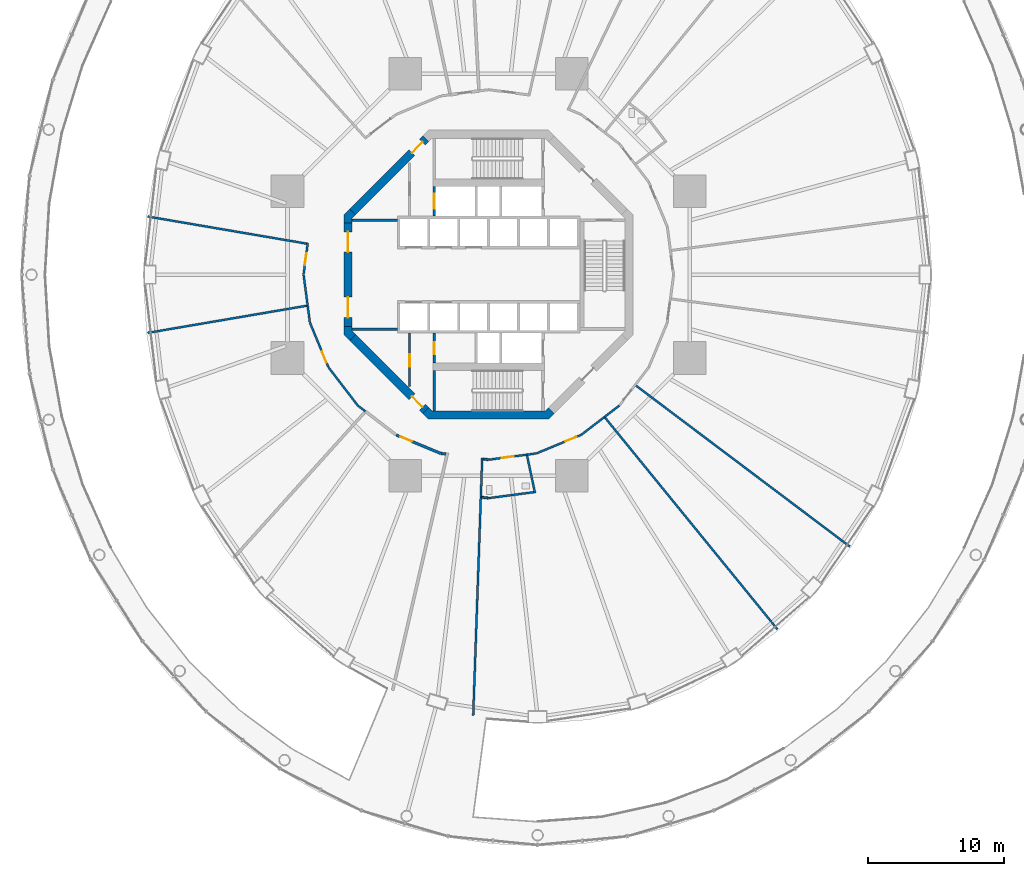
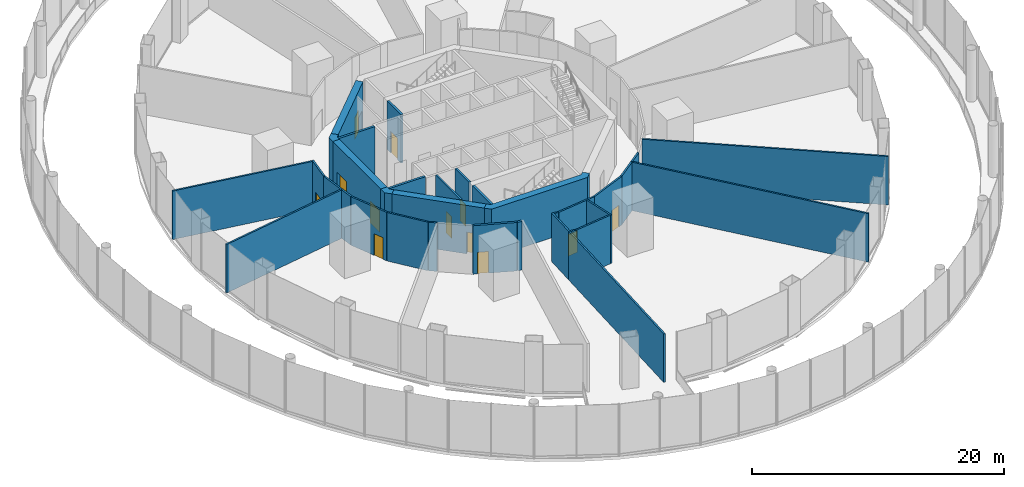
# One storey, part 42 of 47: 35 walls, 12 doors, 12 openings.
"""IFC4 building model written with IfcOpenShell, lengths in metres."""

from ifc_helpers import new_model, si_unit, direction, frame, frame_2d, origin, place, context, subcontext, project, spatial, polyline, rectangle, outline, extrude, material, layer, layer_set, type_object, element, fill, save


model = new_model("IFC4")

# Units and contexts
model_context = context("Model", 3, precision=1e-05, world=origin(), true_north=direction((0.0, 1.0)))
body_context = subcontext(model_context, "Body", "Model", "MODEL_VIEW")
ifc_project = project(units=[si_unit("LENGTHUNIT", "METRE"), si_unit("AREAUNIT", "SQUARE_METRE"), si_unit("VOLUMEUNIT", "CUBIC_METRE"), si_unit("PLANEANGLEUNIT", "RADIAN"), si_unit("MASSUNIT", "GRAM", prefix="KILO")], contexts=[model_context])

# Site, building, storey
site_placement = place(None, origin())
site = spatial("IfcSite", under=ifc_project, at=site_placement, CompositionType="ELEMENT")
building_placement = place(site_placement, origin())
building = spatial("IfcBuilding", under=site, at=building_placement, Name="Nagisa Residences", CompositionType="ELEMENT")
storey_placement = place(building_placement, frame((0.0, 0.0, 17.0)))
storey = spatial("IfcBuildingStorey", under=building, at=storey_placement, Name="L03", CompositionType="ELEMENT", Elevation=17.0)

# Wall, opening, door
ifc_material_1 = material(Name="Gypsum board on steel studs", Category="steel")
ifc_layer_1 = layer(ifc_material_1, 0.14990234375)
ifc_layer_set_1 = layer_set([ifc_layer_1], Name="Core partition 150")
wall_type_1 = type_object("IfcWallType", Name="Core partition 150", PredefinedType="PARTITIONING", material=ifc_layer_set_1)
wall_1_placement = place(storey_placement, frame((-5.800048828125, -8.22705078125, 0.0), z_axis=(0.0, 0.0, 1.0), x_axis=(0.0, 1.0, 0.0)))
wall_1 = element("IfcWall", 1, at=wall_1_placement, inside=storey, type_object=wall_type_1, Name="wall:L03:SWp", PredefinedType="PARTITIONING", context=body_context, shape_type="SweptSolid", body=[
    extrude(rectangle(XDim=3.927001953125, YDim=0.14990234375, at=frame_2d((1.96337890625, 0.0))), origin(), (0.0, 0.0, 1.0), 4.699951171875),
])
opening_1_placement = place(wall_1_placement, frame((1.47607421875, 0.0, 0.0)))
opening_1 = element("IfcOpeningElement", 2, at=opening_1_placement, cuts=wall_1, Name="Opening L03-C13", PredefinedType="OPENING", context=body_context, shape_type="SweptSolid", body=[
    extrude(rectangle(XDim=0.89990234375, YDim=2.10009765625, at=frame_2d((0.449951171875, 1.050048828125))), frame((0.0, 0.0849609375, 0.0), z_axis=(0.0, -1.0, 0.0), x_axis=(1.0, 0.0, 0.0)), (0.0, 0.0, 1.0), 0.169921875),
])
ifc_material_2 = material(Name="Steel fire door", Category="steel")
door_type_1 = type_object("IfcDoorType", Name="Fire door EI30 900x2100 single swing", OperationType="NOTDEFINED", PredefinedType="DOOR", material=ifc_material_2)
door_1_placement = place(opening_1_placement, origin())
door_1 = element("IfcDoor", 3, at=door_1_placement, inside=storey, type_object=door_type_1, Name="Refuse room door L03", OperationType="SINGLE_SWING_RIGHT", OverallHeight=2.10009765625, OverallWidth=0.89990234375, PredefinedType="DOOR", context=body_context, shape_type="SweptSolid", body=[
    extrude(rectangle(XDim=0.89990234375, YDim=2.10009765625, at=frame_2d((0.449951171875, 1.050048828125))), frame((0.0, 0.02490234375, 0.0), z_axis=(0.0, -1.0, 0.0), x_axis=(1.0, 0.0, 0.0)), (0.0, 0.0, 1.0), 0.050048828125),
])
fill(opening_1, door_1)

# Walls
ifc_material_3 = material(Name="Gypsum board on steel studs", Category="steel")
ifc_layer_2 = layer(ifc_material_3, 0.199951171875)
ifc_layer_set_2 = layer_set([ifc_layer_2], Name="Core partition 200")
wall_type_2 = type_object("IfcWallType", Name="Core partition 200", PredefinedType="PARTITIONING", material=ifc_layer_set_2)
for number, where, z_axis, x_axis, name in (
    (4, (-10.024658203125, -4.0, 0.0), (0.0, 0.0, 1.0), (1.0, 0.0, 0.0), "wall:L03:PSW"),
    (5, (-10.024658203125, 4.0, 0.0), (0.0, 0.0, 1.0), (1.0, 0.0, 0.0), "wall:L03:PNW"),
):
    element("IfcWall", number, at=place(storey_placement, frame(where, z_axis=z_axis, x_axis=x_axis)), inside=storey, type_object=wall_type_2, Name=name, PredefinedType="PARTITIONING", context=body_context, shape_type="SweptSolid", body=[
        extrude(rectangle(XDim=3.32470703125, YDim=0.199951171875, at=frame_2d((1.662353515625, 0.0))), origin(), (0.0, 0.0, 1.0), 4.699951171875),
    ])

# Wall, opening, door
ifc_material_4 = material(Name="Concrete C60", Category="concrete")
ifc_layer_3 = layer(ifc_material_4, 0.60009765625)
ifc_layer_set_3 = layer_set([ifc_layer_3], Name="Core shear wall 600")
wall_type_3 = type_object("IfcWallType", Name="Core shear wall 600", PredefinedType="SHEAR", material=ifc_layer_set_3)
wall_2_placement = place(storey_placement, frame((-4.613037109375, 9.98828125, 0.0), z_axis=(0.0, 0.0, 1.0), x_axis=(-0.707106781187, -0.707106781187, 0.0)))
wall_2 = element("IfcWall", 6, at=wall_2_placement, inside=storey, type_object=wall_type_3, Name="wall:L03:core:flat3", PredefinedType="SHEAR", context=body_context, shape_type="SweptSolid", body=[
    extrude(rectangle(XDim=7.601806640625, YDim=0.60009765625, at=frame_2d((3.80078125, 0.0))), origin(), (0.0, 0.0, 1.0), 4.699951171875),
])
opening_2_placement = place(wall_2_placement, frame((0.350830078125, 0.0, 0.0)))
opening_2 = element("IfcOpeningElement", 7, at=opening_2_placement, cuts=wall_2, Name="Opening L03-C19", PredefinedType="OPENING", context=body_context, shape_type="SweptSolid", body=[
    extrude(rectangle(XDim=1.10009765625, YDim=2.10009765625, at=frame_2d((0.550048828125, 1.050048828125))), frame((0.0, 0.31005859375, 0.0), z_axis=(0.0, -1.0, 0.0), x_axis=(1.0, 0.0, 0.0)), (0.0, 0.0, 1.0), 0.6201171875),
])
ifc_material_5 = material(Name="Steel fire door", Category="steel")
door_type_2 = type_object("IfcDoorType", Name="Fire door EI60 1100x2100 single swing", OperationType="NOTDEFINED", PredefinedType="DOOR", material=ifc_material_5)
door_2_placement = place(opening_2_placement, origin())
door_2 = element("IfcDoor", 8, at=door_2_placement, inside=storey, type_object=door_type_2, Name="Service lobby door L03", OperationType="SINGLE_SWING_RIGHT", OverallHeight=2.10009765625, OverallWidth=1.10009765625, PredefinedType="DOOR", context=body_context, shape_type="SweptSolid", body=[
    extrude(rectangle(XDim=1.10009765625, YDim=2.10009765625, at=frame_2d((0.550048828125, 1.050048828125))), frame((0.0, 0.02490234375, 0.0), z_axis=(0.0, -1.0, 0.0), x_axis=(1.0, 0.0, 0.0)), (0.0, 0.0, 1.0), 0.050048828125),
])
fill(opening_2, door_2)

# Wall, openings, doors
wall_3_placement = place(storey_placement, frame((-10.32470703125, 3.80078125, 0.0), z_axis=(0.0, 0.0, 1.0), x_axis=(0.0, -1.0, 0.0)))
wall_3 = element("IfcWall", 9, at=wall_3_placement, inside=storey, type_object=wall_type_3, Name="wall:L03:core:flat4", PredefinedType="SHEAR", context=body_context, shape_type="SweptSolid", body=[
    extrude(rectangle(XDim=7.6015625, YDim=0.60009765625, at=frame_2d((3.80078125, 0.0))), origin(), (0.0, 0.0, 1.0), 4.699951171875),
])
opening_3_placement = place(wall_3_placement, frame((0.65087890625, 0.0, 0.0)))
opening_3 = element("IfcOpeningElement", 10, at=opening_3_placement, cuts=wall_3, Name="Opening L03-C17", PredefinedType="OPENING", context=body_context, shape_type="SweptSolid", body=[
    extrude(rectangle(XDim=1.5, YDim=2.10009765625, at=frame_2d((0.75, 1.050048828125))), frame((0.0, 0.31005859375, 0.0), z_axis=(0.0, -1.0, 0.0), x_axis=(1.0, 0.0, 0.0)), (0.0, 0.0, 1.0), 0.6201171875),
])
opening_4_placement = place(wall_3_placement, frame((5.450927734375, 0.0, 0.0)))
opening_4 = element("IfcOpeningElement", 11, at=opening_4_placement, cuts=wall_3, Name="Opening L03-C18", PredefinedType="OPENING", context=body_context, shape_type="SweptSolid", body=[
    extrude(rectangle(XDim=1.5, YDim=2.10009765625, at=frame_2d((0.75, 1.050048828125))), frame((0.0, 0.31005859375, 0.0), z_axis=(0.0, -1.0, 0.0), x_axis=(1.0, 0.0, 0.0)), (0.0, 0.0, 1.0), 0.6201171875),
])
ifc_material_6 = material(Name="Steel fire door", Category="steel")
door_type_3 = type_object("IfcDoorType", Name="Fire door EI60 1500x2100 double door single swing", OperationType="DOUBLE_DOOR_SINGLE_SWING", PredefinedType="DOOR", material=ifc_material_6)
door_3_placement = place(opening_3_placement, origin())
door_3 = element("IfcDoor", 12, at=door_3_placement, inside=storey, type_object=door_type_3, Name="Lift lobby door L03 1", OperationType="DOUBLE_DOOR_SINGLE_SWING", OverallHeight=2.10009765625, OverallWidth=1.5, PredefinedType="DOOR", context=body_context, shape_type="SweptSolid", body=[
    extrude(rectangle(XDim=1.5, YDim=2.10009765625, at=frame_2d((0.75, 1.050048828125))), frame((0.0, 0.02490234375, 0.0), z_axis=(0.0, -1.0, 0.0), x_axis=(1.0, 0.0, 0.0)), (0.0, 0.0, 1.0), 0.050048828125),
])
fill(opening_3, door_3)
door_4_placement = place(opening_4_placement, origin())
door_4 = element("IfcDoor", 13, at=door_4_placement, inside=storey, type_object=door_type_3, Name="Lift lobby door L03 2", OperationType="DOUBLE_DOOR_SINGLE_SWING", OverallHeight=2.10009765625, OverallWidth=1.5, PredefinedType="DOOR", context=body_context, shape_type="SweptSolid", body=[
    extrude(rectangle(XDim=1.5, YDim=2.10009765625, at=frame_2d((0.75, 1.050048828125))), frame((0.0, 0.02490234375, 0.0), z_axis=(0.0, -1.0, 0.0), x_axis=(1.0, 0.0, 0.0)), (0.0, 0.0, 1.0), 0.050048828125),
])
fill(opening_4, door_4)

# Wall, opening, door
wall_4_placement = place(storey_placement, frame((-9.98828125, -4.613037109375, 0.0), z_axis=(0.0, 0.0, 1.0), x_axis=(0.707106781187, -0.707106781187, 0.0)))
wall_4 = element("IfcWall", 14, at=wall_4_placement, inside=storey, type_object=wall_type_3, Name="wall:L03:core:flat5", PredefinedType="SHEAR", context=body_context, shape_type="SweptSolid", body=[
    extrude(rectangle(XDim=7.601806640625, YDim=0.60009765625, at=frame_2d((3.80078125, 0.0))), origin(), (0.0, 0.0, 1.0), 4.699951171875),
])
opening_5_placement = place(wall_4_placement, frame((6.15087890625, 0.0, 0.0)))
opening_5 = element("IfcOpeningElement", 15, at=opening_5_placement, cuts=wall_4, Name="Opening L03-C20", PredefinedType="OPENING", context=body_context, shape_type="SweptSolid", body=[
    extrude(rectangle(XDim=1.10009765625, YDim=2.10009765625, at=frame_2d((0.550048828125, 1.050048828125))), frame((0.0, 0.31005859375, 0.0), z_axis=(0.0, -1.0, 0.0), x_axis=(1.0, 0.0, 0.0)), (0.0, 0.0, 1.0), 0.6201171875),
])
door_5_placement = place(opening_5_placement, origin())
door_5 = element("IfcDoor", 16, at=door_5_placement, inside=storey, type_object=door_type_2, Name="Housekeeping lobby door L03", OperationType="SINGLE_SWING_RIGHT", OverallHeight=2.10009765625, OverallWidth=1.10009765625, PredefinedType="DOOR", context=body_context, shape_type="SweptSolid", body=[
    extrude(rectangle(XDim=1.10009765625, YDim=2.10009765625, at=frame_2d((0.550048828125, 1.050048828125))), frame((0.0, 0.02490234375, 0.0), z_axis=(0.0, -1.0, 0.0), x_axis=(1.0, 0.0, 0.0)), (0.0, 0.0, 1.0), 0.050048828125),
])
fill(opening_5, door_5)

# Walls
wall_5_placement = place(storey_placement, origin())
element("IfcWall", 17, at=wall_5_placement, inside=storey, type_object=wall_type_3, Name="wall:L03:core:pier4", PredefinedType="SHEAR", context=body_context, shape_type="SweptSolid", body=[
    extrude(outline(polyline([(-10.62451171875, -3.80078125), (-10.024658203125, -3.80078125), (-10.024658203125, -4.15234375), (-9.776123046875, -4.40087890625), (-10.200439453125, -4.8251953125), (-10.62451171875, -4.40087890625), (-10.62451171875, -3.80078125)])), origin(), (0.0, 0.0, 1.0), 4.699951171875),
])
wall_6_placement = place(storey_placement, origin())
element("IfcWall", 18, at=wall_6_placement, inside=storey, type_object=wall_type_3, Name="wall:L03:core:pier3", PredefinedType="SHEAR", context=body_context, shape_type="SweptSolid", body=[
    extrude(outline(polyline([(-10.200439453125, 4.8251953125), (-9.776123046875, 4.40087890625), (-10.024658203125, 4.15234375), (-10.024658203125, 3.80078125), (-10.62451171875, 3.80078125), (-10.62451171875, 4.40087890625), (-10.200439453125, 4.8251953125)])), origin(), (0.0, 0.0, 1.0), 4.699951171875),
])
wall_7_placement = place(storey_placement, origin())
element("IfcWall", 19, at=wall_7_placement, inside=storey, type_object=wall_type_3, Name="wall:L03:core:flat6", PredefinedType="SHEAR", context=body_context, shape_type="SweptSolid", body=[
    extrude(outline(polyline([(-4.15234375, -10.024658203125), (4.15234375, -10.024658203125), (4.40087890625, -9.776123046875), (4.8251953125, -10.200439453125), (4.40087890625, -10.62451171875), (-4.40087890625, -10.62451171875), (-4.8251953125, -10.200439453125), (-4.40087890625, -9.776123046875), (-4.15234375, -10.024658203125)])), origin(), (0.0, 0.0, 1.0), 4.699951171875),
])

# Wall, opening, door
ifc_material_7 = material(Name="Concrete C60", Category="concrete")
ifc_layer_4 = layer(ifc_material_7, 0.199951171875)
ifc_layer_set_4 = layer_set([ifc_layer_4], Name="Lift shaft wall 200")
wall_type_4 = type_object("IfcWallType", Name="Lift shaft wall 200", PredefinedType="SOLIDWALL", material=ifc_layer_set_4)
wall_8_placement = place(storey_placement, frame((-4.0, 4.300048828125, 0.0), z_axis=(0.0, 0.0, 1.0), x_axis=(0.0, 1.0, 0.0)))
wall_8 = element("IfcWall", 20, at=wall_8_placement, inside=storey, type_object=wall_type_4, Name="wall:L03:Nb4", PredefinedType="SOLIDWALL", context=body_context, shape_type="SweptSolid", body=[
    extrude(rectangle(XDim=2.199951171875, YDim=0.199951171875, at=frame_2d((1.10009765625, 0.0))), origin(), (0.0, 0.0, 1.0), 4.699951171875),
])
opening_6_placement = place(wall_8_placement, frame((0.550048828125, 0.0, 0.0)))
opening_6 = element("IfcOpeningElement", 21, at=opening_6_placement, cuts=wall_8, Name="Opening L03-C08", PredefinedType="OPENING", context=body_context, shape_type="SweptSolid", body=[
    extrude(rectangle(XDim=1.10009765625, YDim=2.10009765625, at=frame_2d((0.550048828125, 1.050048828125))), frame((0.0, 0.10986328125, 0.0), z_axis=(0.0, -1.0, 0.0), x_axis=(1.0, 0.0, 0.0)), (0.0, 0.0, 1.0), 0.219970703125),
])
ifc_material_8 = material(Name="Stainless steel", Category="steel")
door_type_4 = type_object("IfcDoorType", Name="Lift landing door 1100x2100", OperationType="DOUBLE_DOOR_SLIDING", PredefinedType="DOOR", material=ifc_material_8)
door_6_placement = place(opening_6_placement, origin())
door_6 = element("IfcDoor", 22, at=door_6_placement, inside=storey, type_object=door_type_4, Name="Landing door SV L03", OperationType="DOUBLE_DOOR_SLIDING", OverallHeight=2.10009765625, OverallWidth=1.10009765625, PredefinedType="DOOR", context=body_context, shape_type="SweptSolid", body=[
    extrude(rectangle(XDim=1.10009765625, YDim=2.10009765625, at=frame_2d((0.550048828125, 1.050048828125))), frame((0.0, 0.02490234375, 0.0), z_axis=(0.0, -1.0, 0.0), x_axis=(1.0, 0.0, 0.0)), (0.0, 0.0, 1.0), 0.050048828125),
])
fill(opening_6, door_6)

wall_9_placement = place(storey_placement, frame((-4.0, -6.5, 0.0), z_axis=(0.0, 0.0, 1.0), x_axis=(0.0, 1.0, 0.0)))
wall_9 = element("IfcWall", 23, at=wall_9_placement, inside=storey, type_object=wall_type_4, Name="wall:L03:Sb4", PredefinedType="SOLIDWALL", context=body_context, shape_type="SweptSolid", body=[
    extrude(rectangle(XDim=2.199951171875, YDim=0.199951171875, at=frame_2d((1.10009765625, 0.0))), origin(), (0.0, 0.0, 1.0), 4.699951171875),
])
opening_7_placement = place(wall_9_placement, frame((0.64990234375, 0.0, 0.0)))
opening_7 = element("IfcOpeningElement", 24, at=opening_7_placement, cuts=wall_9, Name="Opening L03-C14", PredefinedType="OPENING", context=body_context, shape_type="SweptSolid", body=[
    extrude(rectangle(XDim=0.89990234375, YDim=2.10009765625, at=frame_2d((0.449951171875, 1.050048828125))), frame((0.0, 0.10986328125, 0.0), z_axis=(0.0, -1.0, 0.0), x_axis=(1.0, 0.0, 0.0)), (0.0, 0.0, 1.0), 0.219970703125),
])
door_7_placement = place(opening_7_placement, frame((0.89990234375, 0.0, 0.0), x_axis=(-1.0, 0.0, 0.0)))
door_7 = element("IfcDoor", 25, at=door_7_placement, inside=storey, type_object=door_type_1, Name="Refuse room door L03", OperationType="SINGLE_SWING_RIGHT", OverallHeight=2.10009765625, OverallWidth=0.89990234375, PredefinedType="DOOR", context=body_context, shape_type="SweptSolid", body=[
    extrude(rectangle(XDim=0.89990234375, YDim=2.10009765625, at=frame_2d((0.449951171875, 1.050048828125))), frame((0.0, 0.02490234375, 0.0), z_axis=(0.0, -1.0, 0.0), x_axis=(1.0, 0.0, 0.0)), (0.0, 0.0, 1.0), 0.050048828125),
])
fill(opening_7, door_7)

ifc_material_9 = material(Name="Gypsum board on steel studs", Category="steel")
ifc_layer_5 = layer(ifc_material_9, 0.199951171875)
ifc_layer_set_5 = layer_set([ifc_layer_5], Name="Plant room wall EI120 200")
wall_type_5 = type_object("IfcWallType", Name="Plant room wall EI120 200", PredefinedType="PARTITIONING", material=ifc_layer_set_5)
wall_10_placement = place(storey_placement, frame((-3.533935546875, -13.130859375, 0.0), z_axis=(0.0, 0.0, 1.0), x_axis=(-0.92386297064, 0.382723413813, 0.0)))
wall_10 = element("IfcWall", 26, at=wall_10_placement, inside=storey, type_object=wall_type_5, Name="wall:L03:am053", PredefinedType="PARTITIONING", context=body_context, shape_type="SweptSolid", body=[
    extrude(rectangle(XDim=3.52001953125, YDim=0.199951171875, at=frame_2d((1.760009765625, 0.0))), origin(), (0.0, 0.0, 1.0), 4.699951171875),
])
opening_8_placement = place(wall_10_placement, frame((2.277587890625, 0.0, 0.0)))
opening_8 = element("IfcOpeningElement", 27, at=opening_8_placement, cuts=wall_10, Name="Opening L03-A09", PredefinedType="OPENING", context=body_context, shape_type="SweptSolid", body=[
    extrude(rectangle(XDim=0.89990234375, YDim=2.10009765625, at=frame_2d((0.449951171875, 1.050048828125))), frame((0.0, 0.10986328125, 0.0), z_axis=(0.0, -1.0, 0.0), x_axis=(1.0, 0.0, 0.0)), (0.0, 0.0, 1.0), 0.219970703125),
])
ifc_material_10 = material(Name="Steel fire door", Category="steel")
door_type_5 = type_object("IfcDoorType", Name="Fire door EI120 900x2100 single swing", OperationType="NOTDEFINED", PredefinedType="DOOR", material=ifc_material_10)
door_8_placement = place(opening_8_placement, origin())
door_8 = element("IfcDoor", 28, at=door_8_placement, inside=storey, type_object=door_type_5, Name="Equipment plant room door", OperationType="SINGLE_SWING_LEFT", OverallHeight=2.10009765625, OverallWidth=0.89990234375, PredefinedType="DOOR", context=body_context, shape_type="SweptSolid", body=[
    extrude(rectangle(XDim=0.89990234375, YDim=2.10009765625, at=frame_2d((0.449951171875, 1.050048828125))), frame((0.0, 0.02490234375, 0.0), z_axis=(0.0, -1.0, 0.0), x_axis=(1.0, 0.0, 0.0)), (0.0, 0.0, 1.0), 0.050048828125),
])
fill(opening_8, door_8)

# Wall
wall_11_placement = place(storey_placement, frame((-3.146728515625, -13.185791015625, 0.0), z_axis=(0.0, 0.0, 1.0), x_axis=(-0.991456595727, 0.130437029976, 0.0)))
element("IfcWall", 29, at=wall_11_placement, inside=storey, type_object=wall_type_5, Name="wall:L03:am054", PredefinedType="PARTITIONING", context=body_context, shape_type="SweptSolid", body=[
    extrude(rectangle(XDim=0.361328125, YDim=0.199951171875, at=frame_2d((0.1806640625, 0.0))), origin(), (0.0, 0.0, 1.0), 4.699951171875),
])

# Wall, opening, door
ifc_material_11 = material(Name="Gypsum board on steel studs", Category="steel")
ifc_layer_6 = layer(ifc_material_11, 0.14990234375)
ifc_layer_set_6 = layer_set([ifc_layer_6], Name="Room partition EI60 150")
wall_type_6 = type_object("IfcWallType", Name="Room partition EI60 150", PredefinedType="PARTITIONING", material=ifc_layer_set_6)
wall_12_placement = place(storey_placement, frame((-13.598388671875, 0.01171875, 0.0), z_axis=(0.0, 0.0, 1.0), x_axis=(0.130443774898, 0.991455708335, 0.0)))
wall_12 = element("IfcWall", 30, at=wall_12_placement, inside=storey, type_object=wall_type_6, Name="wall:L03:am001", PredefinedType="PARTITIONING", context=body_context, shape_type="SweptSolid", body=[
    extrude(rectangle(XDim=2.3525390625, YDim=0.14990234375, at=frame_2d((1.17626953125, 0.0))), origin(), (0.0, 0.0, 1.0), 4.699951171875),
])
opening_9_placement = place(wall_12_placement, frame((0.682861328125, 0.0, 0.0)))
opening_9 = element("IfcOpeningElement", 31, at=opening_9_placement, cuts=wall_12, Name="Opening L03-A07", PredefinedType="OPENING", context=body_context, shape_type="SweptSolid", body=[
    extrude(rectangle(XDim=0.89990234375, YDim=2.10009765625, at=frame_2d((0.449951171875, 1.050048828125))), frame((0.0, 0.0849609375, 0.0), z_axis=(0.0, -1.0, 0.0), x_axis=(1.0, 0.0, 0.0)), (0.0, 0.0, 1.0), 0.169921875),
])
door_9_placement = place(opening_9_placement, origin())
door_9 = element("IfcDoor", 32, at=door_9_placement, inside=storey, type_object=door_type_1, Name="Video conference room door", OperationType="SINGLE_SWING_LEFT", OverallHeight=2.10009765625, OverallWidth=0.89990234375, PredefinedType="DOOR", context=body_context, shape_type="SweptSolid", body=[
    extrude(rectangle(XDim=0.89990234375, YDim=2.10009765625, at=frame_2d((0.449951171875, 1.050048828125))), frame((0.0, 0.02490234375, 0.0), z_axis=(0.0, -1.0, 0.0), x_axis=(1.0, 0.0, 0.0)), (0.0, 0.0, 1.0), 0.050048828125),
])
fill(opening_9, door_9)

# Walls
wall_13_placement = place(storey_placement, frame((-13.375244140625, -2.282470703125, 0.0), z_axis=(0.0, 0.0, 1.0), x_axis=(-0.985753347153, -0.168197320361, 0.0)))
element("IfcWall", 33, at=wall_13_placement, inside=storey, type_object=wall_type_6, Name="wall:L03:am002", PredefinedType="PARTITIONING", context=body_context, shape_type="SweptSolid", body=[
    extrude(rectangle(XDim=11.84716796875, YDim=0.14990234375, at=frame_2d((5.923583984375, 0.0))), origin(), (0.0, 0.0, 1.0), 4.699951171875),
])
wall_14_placement = place(storey_placement, frame((-13.30126953125, -2.269775390625, 0.0), z_axis=(0.0, 0.0, 1.0), x_axis=(-0.130457285505, 0.991453930679, 0.0)))
element("IfcWall", 34, at=wall_14_placement, inside=storey, type_object=wall_type_6, Name="wall:L03:am003", PredefinedType="PARTITIONING", context=body_context, shape_type="SweptSolid", body=[
    extrude(rectangle(XDim=2.277587890625, YDim=0.14990234375, at=frame_2d((1.138671875, 0.0))), origin(), (0.0, 0.0, 1.0), 4.699951171875),
])
wall_15_placement = place(storey_placement, frame((-13.375244140625, 2.282470703125, 0.0), z_axis=(0.0, 0.0, 1.0), x_axis=(-0.985753347153, 0.168197320361, 0.0)))
element("IfcWall", 35, at=wall_15_placement, inside=storey, type_object=wall_type_6, Name="wall:L03:am004", PredefinedType="PARTITIONING", context=body_context, shape_type="SweptSolid", body=[
    extrude(rectangle(XDim=11.84716796875, YDim=0.14990234375, at=frame_2d((5.923583984375, 0.0))), origin(), (0.0, 0.0, 1.0), 4.699951171875),
])
wall_16_placement = place(storey_placement, frame((-13.13818359375, -3.508056640625, 0.0), z_axis=(0.0, 0.0, 1.0), x_axis=(-0.130575867104, 0.991438320285, 0.0)))
element("IfcWall", 36, at=wall_16_placement, inside=storey, type_object=wall_type_6, Name="wall:L03:am005", PredefinedType="PARTITIONING", context=body_context, shape_type="SweptSolid", body=[
    extrude(rectangle(XDim=1.2490234375, YDim=0.14990234375, at=frame_2d((0.62451171875, 0.0))), origin(), (0.0, 0.0, 1.0), 4.699951171875),
])

# Wall, opening, door
wall_17_placement = place(storey_placement, frame((-11.782470703125, -6.7890625, 0.0), z_axis=(0.0, 0.0, 1.0), x_axis=(-0.382677866108, 0.923881838111, 0.0)))
wall_17 = element("IfcWall", 37, at=wall_17_placement, inside=storey, type_object=wall_type_6, Name="wall:L03:am006", PredefinedType="PARTITIONING", context=body_context, shape_type="SweptSolid", body=[
    extrude(rectangle(XDim=3.52685546875, YDim=0.14990234375, at=frame_2d((1.763427734375, 0.0))), origin(), (0.0, 0.0, 1.0), 4.699951171875),
])
opening_10_placement = place(wall_17_placement, frame((0.345703125, 0.0, 0.0)))
opening_10 = element("IfcOpeningElement", 38, at=opening_10_placement, cuts=wall_17, Name="Opening L03-A08", PredefinedType="OPENING", context=body_context, shape_type="SweptSolid", body=[
    extrude(rectangle(XDim=0.89990234375, YDim=2.10009765625, at=frame_2d((0.449951171875, 1.050048828125))), frame((0.0, 0.0849609375, 0.0), z_axis=(0.0, -1.0, 0.0), x_axis=(1.0, 0.0, 0.0)), (0.0, 0.0, 1.0), 0.169921875),
])
door_10_placement = place(opening_10_placement, origin())
door_10 = element("IfcDoor", 39, at=door_10_placement, inside=storey, type_object=door_type_1, Name="Mail and print store door", OperationType="SINGLE_SWING_RIGHT", OverallHeight=2.10009765625, OverallWidth=0.89990234375, PredefinedType="DOOR", context=body_context, shape_type="SweptSolid", body=[
    extrude(rectangle(XDim=0.89990234375, YDim=2.10009765625, at=frame_2d((0.449951171875, 1.050048828125))), frame((0.0, 0.02490234375, 0.0), z_axis=(0.0, -1.0, 0.0), x_axis=(1.0, 0.0, 0.0)), (0.0, 0.0, 1.0), 0.050048828125),
])
fill(opening_10, door_10)

# Walls
wall_18_placement = place(storey_placement, frame((-9.6240234375, -9.607177734375, 0.0), z_axis=(0.0, 0.0, 1.0), x_axis=(-0.608736710054, 0.793372307201, 0.0)))
element("IfcWall", 40, at=wall_18_placement, inside=storey, type_object=wall_type_6, Name="wall:L03:am007", PredefinedType="PARTITIONING", context=body_context, shape_type="SweptSolid", body=[
    extrude(rectangle(XDim=3.526611328125, YDim=0.14990234375, at=frame_2d((1.76318359375, 0.0))), origin(), (0.0, 0.0, 1.0), 4.699951171875),
])
wall_19_placement = place(storey_placement, frame((-9.05029296875, -10.05126953125, 0.0), z_axis=(0.0, 0.0, 1.0), x_axis=(-0.793399175387, 0.608701690893, 0.0)))
element("IfcWall", 41, at=wall_19_placement, inside=storey, type_object=wall_type_6, Name="wall:L03:am008", PredefinedType="PARTITIONING", context=body_context, shape_type="SweptSolid", body=[
    extrude(rectangle(XDim=0.701904296875, YDim=0.14990234375, at=frame_2d((0.35107421875, 0.0))), origin(), (0.0, 0.0, 1.0), 4.699951171875),
])
wall_20_placement = place(storey_placement, frame((-0.57080078125, -16.34912109375, 0.0), z_axis=(0.0, 0.0, 1.0), x_axis=(-0.034915122528, -0.999390281231, 0.0)))
element("IfcWall", 42, at=wall_20_placement, inside=storey, type_object=wall_type_6, Name="wall:L03:am013", PredefinedType="PARTITIONING", context=body_context, shape_type="SweptSolid", body=[
    extrude(rectangle(XDim=16.0615234375, YDim=0.14990234375, at=frame_2d((8.03076171875, 0.0))), origin(), (0.0, 0.0, 1.0), 4.699951171875),
])
wall_21_placement = place(storey_placement, frame((-0.469970703125, -13.46240234375, 0.0), z_axis=(0.0, 0.0, 1.0), x_axis=(-0.034907670303, -0.999390541557, 0.0)))
element("IfcWall", 43, at=wall_21_placement, inside=storey, type_object=wall_type_6, Name="wall:L03:am014", PredefinedType="PARTITIONING", context=body_context, shape_type="SweptSolid", body=[
    extrude(rectangle(XDim=2.888427734375, YDim=0.14990234375, at=frame_2d((1.4443359375, 0.0))), origin(), (0.0, 0.0, 1.0), 4.699951171875),
])
wall_22_placement = place(storey_placement, frame((-0.01171875, -16.422607421875, 0.0), z_axis=(0.0, 0.0, 1.0), x_axis=(-0.991457697021, 0.130428658731, 0.0)))
element("IfcWall", 44, at=wall_22_placement, inside=storey, type_object=wall_type_6, Name="wall:L03:am015", PredefinedType="PARTITIONING", context=body_context, shape_type="SweptSolid", body=[
    extrude(rectangle(XDim=0.488525390625, YDim=0.14990234375, at=frame_2d((0.244140625, 0.0))), origin(), (0.0, 0.0, 1.0), 4.699951171875),
])
wall_23_placement = place(storey_placement, frame((-0.01171875, -13.598388671875, 0.0), z_axis=(0.0, 0.0, 1.0), x_axis=(-0.991467089631, 0.130357240609, 0.0)))
element("IfcWall", 45, at=wall_23_placement, inside=storey, type_object=wall_type_6, Name="wall:L03:am016", PredefinedType="PARTITIONING", context=body_context, shape_type="SweptSolid", body=[
    extrude(rectangle(XDim=0.3896484375, YDim=0.14990234375, at=frame_2d((0.19482421875, 0.0))), origin(), (0.0, 0.0, 1.0), 4.699951171875),
])

# Wall, opening, door
wall_24_placement = place(storey_placement, frame((2.81201171875, -13.229736328125, 0.0), z_axis=(0.0, 0.0, 1.0), x_axis=(-0.991445467051, -0.130521591565, 0.0)))
wall_24 = element("IfcWall", 46, at=wall_24_placement, inside=storey, type_object=wall_type_6, Name="wall:L03:am018", PredefinedType="PARTITIONING", context=body_context, shape_type="SweptSolid", body=[
    extrude(rectangle(XDim=2.824462890625, YDim=0.14990234375, at=frame_2d((1.412109375, 0.0))), origin(), (0.0, 0.0, 1.0), 4.699951171875),
])
opening_11_placement = place(wall_24_placement, frame((0.96826171875, 0.0, 0.0)))
opening_11 = element("IfcOpeningElement", 47, at=opening_11_placement, cuts=wall_24, Name="Opening L03-A10", PredefinedType="OPENING", context=body_context, shape_type="SweptSolid", body=[
    extrude(rectangle(XDim=0.89990234375, YDim=2.10009765625, at=frame_2d((0.449951171875, 1.050048828125))), frame((0.0, 0.0849609375, 0.0), z_axis=(0.0, -1.0, 0.0), x_axis=(1.0, 0.0, 0.0)), (0.0, 0.0, 1.0), 0.169921875),
])
door_11_placement = place(opening_11_placement, origin())
door_11 = element("IfcDoor", 48, at=door_11_placement, inside=storey, type_object=door_type_1, Name="WC door", OperationType="SINGLE_SWING_RIGHT", OverallHeight=2.10009765625, OverallWidth=0.89990234375, PredefinedType="DOOR", context=body_context, shape_type="SweptSolid", body=[
    extrude(rectangle(XDim=0.89990234375, YDim=2.10009765625, at=frame_2d((0.449951171875, 1.050048828125))), frame((0.0, 0.02490234375, 0.0), z_axis=(0.0, -1.0, 0.0), x_axis=(1.0, 0.0, 0.0)), (0.0, 0.0, 1.0), 0.050048828125),
])
fill(opening_11, door_11)

# Walls
wall_25_placement = place(storey_placement, frame((2.82763671875, -13.303466796875, 0.0), z_axis=(0.0, 0.0, 1.0), x_axis=(0.207920091501, -0.978145815076, 0.0)))
element("IfcWall", 49, at=wall_25_placement, inside=storey, type_object=wall_type_6, Name="wall:L03:am019", PredefinedType="PARTITIONING", context=body_context, shape_type="SweptSolid", body=[
    extrude(rectangle(XDim=2.80859375, YDim=0.14990234375, at=frame_2d((1.404296875, 0.0))), origin(), (0.0, 0.0, 1.0), 4.699951171875),
])
wall_26_placement = place(storey_placement, frame((3.3212890625, -15.98681640625, 0.0), z_axis=(0.0, 0.0, 1.0), x_axis=(-0.991441844339, -0.130549106827, 0.0)))
element("IfcWall", 50, at=wall_26_placement, inside=storey, type_object=wall_type_6, Name="wall:L03:am021", PredefinedType="PARTITIONING", context=body_context, shape_type="SweptSolid", body=[
    extrude(rectangle(XDim=3.338134765625, YDim=0.14990234375, at=frame_2d((1.6689453125, 0.0))), origin(), (0.0, 0.0, 1.0), 4.699951171875),
])
wall_27_placement = place(storey_placement, frame((3.508056640625, -13.13818359375, 0.0), z_axis=(0.0, 0.0, 1.0), x_axis=(-0.991460212813, -0.130409533429, 0.0)))
element("IfcWall", 51, at=wall_27_placement, inside=storey, type_object=wall_type_6, Name="wall:L03:am022", PredefinedType="PARTITIONING", context=body_context, shape_type="SweptSolid", body=[
    extrude(rectangle(XDim=0.7021484375, YDim=0.14990234375, at=frame_2d((0.35107421875, 0.0))), origin(), (0.0, 0.0, 1.0), 4.699951171875),
])

# Wall, opening, door
wall_28_placement = place(storey_placement, frame((6.7890625, -11.782470703125, 0.0), z_axis=(0.0, 0.0, 1.0), x_axis=(-0.923881838111, -0.382677866108, 0.0)))
wall_28 = element("IfcWall", 52, at=wall_28_placement, inside=storey, type_object=wall_type_6, Name="wall:L03:am024", PredefinedType="PARTITIONING", context=body_context, shape_type="SweptSolid", body=[
    extrude(rectangle(XDim=3.52685546875, YDim=0.14990234375, at=frame_2d((1.763427734375, 0.0))), origin(), (0.0, 0.0, 1.0), 4.699951171875),
])
opening_12_placement = place(wall_28_placement, frame((0.345703125, 0.0, 0.0)))
opening_12 = element("IfcOpeningElement", 53, at=opening_12_placement, cuts=wall_28, Name="Opening L03-A11", PredefinedType="OPENING", context=body_context, shape_type="SweptSolid", body=[
    extrude(rectangle(XDim=0.89990234375, YDim=2.10009765625, at=frame_2d((0.449951171875, 1.050048828125))), frame((0.0, 0.0849609375, 0.0), z_axis=(0.0, -1.0, 0.0), x_axis=(1.0, 0.0, 0.0)), (0.0, 0.0, 1.0), 0.169921875),
])
door_12_placement = place(opening_12_placement, origin())
door_12 = element("IfcDoor", 54, at=door_12_placement, inside=storey, type_object=door_type_1, Name="Private office suite door", OperationType="SINGLE_SWING_LEFT", OverallHeight=2.10009765625, OverallWidth=0.89990234375, PredefinedType="DOOR", context=body_context, shape_type="SweptSolid", body=[
    extrude(rectangle(XDim=0.89990234375, YDim=2.10009765625, at=frame_2d((0.449951171875, 1.050048828125))), frame((0.0, 0.02490234375, 0.0), z_axis=(0.0, -1.0, 0.0), x_axis=(1.0, 0.0, 0.0)), (0.0, 0.0, 1.0), 0.050048828125),
])
fill(opening_12, door_12)

# Walls
wall_29_placement = place(storey_placement, frame((8.519287109375, -10.458740234375, 0.0), z_axis=(0.0, 0.0, 1.0), x_axis=(-0.793372937326, -0.608735888805, 0.0)))
element("IfcWall", 55, at=wall_29_placement, inside=storey, type_object=wall_type_6, Name="wall:L03:am026", PredefinedType="PARTITIONING", context=body_context, shape_type="SweptSolid", body=[
    extrude(rectangle(XDim=2.1552734375, YDim=0.14990234375, at=frame_2d((1.07763671875, 0.0))), origin(), (0.0, 0.0, 1.0), 4.699951171875),
])
wall_30_placement = place(storey_placement, frame((8.566650390625, -10.51708984375, 0.0), z_axis=(0.0, 0.0, 1.0), x_axis=(0.631550170727, -0.775335012658, 0.0)))
element("IfcWall", 56, at=wall_30_placement, inside=storey, type_object=wall_type_6, Name="wall:L03:am027", PredefinedType="PARTITIONING", context=body_context, shape_type="SweptSolid", body=[
    extrude(rectangle(XDim=20.05126953125, YDim=0.14990234375, at=frame_2d((10.025634765625, 0.0))), origin(), (0.0, 0.0, 1.0), 4.699951171875),
])
wall_31_placement = place(storey_placement, frame((9.607177734375, -9.6240234375, 0.0), z_axis=(0.0, 0.0, 1.0), x_axis=(-0.793371316762, -0.6087380009, 0.0)))
element("IfcWall", 57, at=wall_31_placement, inside=storey, type_object=wall_type_6, Name="wall:L03:am030", PredefinedType="PARTITIONING", context=body_context, shape_type="SweptSolid", body=[
    extrude(rectangle(XDim=1.371337890625, YDim=0.14990234375, at=frame_2d((0.685546875, 0.0))), origin(), (0.0, 0.0, 1.0), 4.699951171875),
])
wall_32_placement = place(storey_placement, frame((10.83349609375, -8.154052734375, 0.0), z_axis=(0.0, 0.0, 1.0), x_axis=(0.798984754133, -0.601351280586, 0.0)))
element("IfcWall", 58, at=wall_32_placement, inside=storey, type_object=wall_type_6, Name="wall:L03:am035", PredefinedType="PARTITIONING", context=body_context, shape_type="SweptSolid", body=[
    extrude(rectangle(XDim=19.673828125, YDim=0.14990234375, at=frame_2d((9.8369140625, 0.0))), origin(), (0.0, 0.0, 1.0), 4.699951171875),
])
ifc_material_12 = material(Name="Concrete C60", Category="concrete")
ifc_layer_7 = layer(ifc_material_12, 0.199951171875)
ifc_layer_set_7 = layer_set([ifc_layer_7], Name="Stair enclosure wall 200")
wall_type_7 = type_object("IfcWallType", Name="Stair enclosure wall 200", PredefinedType="SOLIDWALL", material=ifc_layer_set_7)
wall_33_placement = place(storey_placement, origin())
element("IfcWall", 59, at=wall_33_placement, inside=storey, type_object=wall_type_7, Name="wall:L03:SS_w", PredefinedType="SOLIDWALL", context=body_context, shape_type="SweptSolid", body=[
    extrude(outline(polyline([(-3.89990234375, -10.024658203125), (-4.10009765625, -10.024658203125), (-4.10009765625, -7.024658203125), (-3.89990234375, -7.024658203125), (-3.89990234375, -10.024658203125)])), origin(), (0.0, 0.0, 1.0), 4.699951171875),
])

save(model, "model.ifc")
